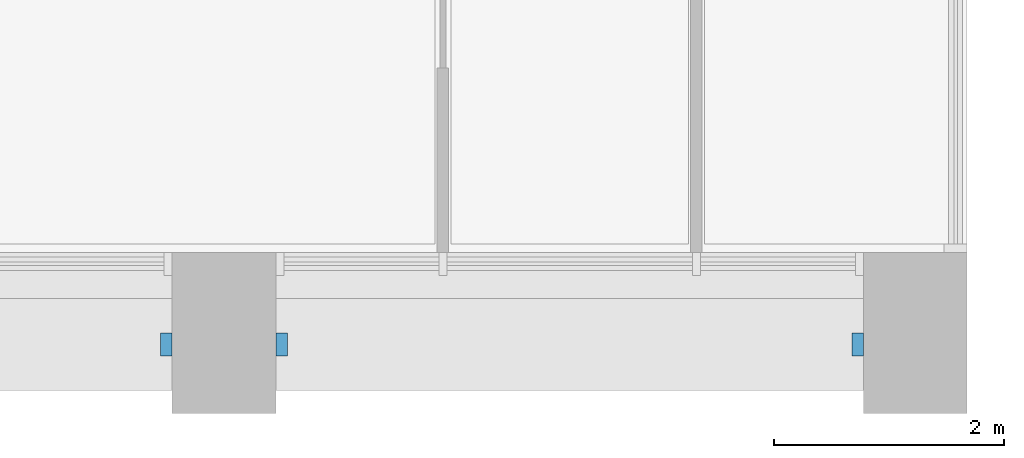
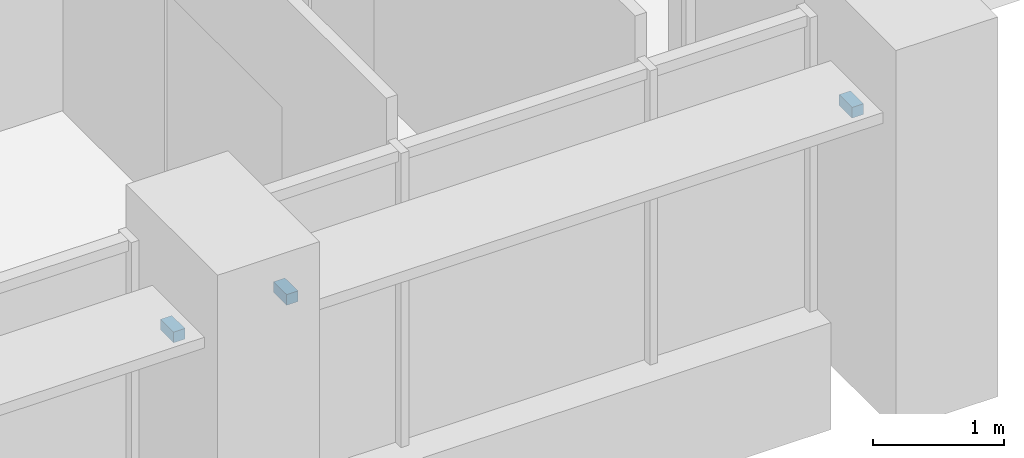
# One storey, part 14 of 15: 3 discrete accessories.
"""IFC4 building model written with IfcOpenShell, lengths in metres."""

import ifcopenshell
import ifcopenshell.guid

model = None  # the IFC model being written
_history = None  # IfcOwnerHistory: only IFC2X3 demands one
_inside = {}  # id of a spatial element -> (the spatial element, [elements in it])
_under = {}  # id of a project, library or spatial element -> (it, [spatial elements below it])
_declared = {}  # id of a project -> (the project, [libraries it declares])
_typed = {}  # id of a type object -> (the type object, [elements of that type])
_made_of = {}  # id of a material, layer set ... -> (it, [elements and type objects made of it])


def new_model(schema):
    """Start an empty IFC model of exactly this schema.

    Asked for "IFC4X3", IfcOpenShell would pick the latest addendum, in which some entities
    have other attributes; the version numbers below select the first issue.
    IFC2X3 requires an IfcOwnerHistory on every rooted entity: one is made here for all.
    """
    global model, _history
    if schema == "IFC4X3":
        model = ifcopenshell.file(schema_version=(4, 3, 0, 0))
    else:
        model = ifcopenshell.file(schema=schema)
    _inside.clear()
    _under.clear()
    _declared.clear()
    _typed.clear()
    _made_of.clear()
    _history = None
    if model.schema == "IFC2X3":
        org = make("IfcOrganization", Name="unknown")
        user = make(
            "IfcPersonAndOrganization",
            ThePerson=make("IfcPerson", FamilyName="unknown"),
            TheOrganization=org,
        )
        app = make(
            "IfcApplication",
            ApplicationDeveloper=org,
            Version="unknown",
            ApplicationFullName="unknown",
            ApplicationIdentifier="unknown",
        )
        _history = make(
            "IfcOwnerHistory",
            OwningUser=user,
            OwningApplication=app,
            ChangeAction="ADDED",
            CreationDate=0,
        )
    return model


def make(cls, **values):
    """One entity of the class cls with the attributes given. An attribute that is None is left unset."""
    return model.create_entity(
        cls, **{name: value for name, value in values.items() if value is not None}
    )


def rooted(cls, **values):
    """An entity with a GlobalId (a new one), such as an element, a storey or a relation."""
    return make(cls, GlobalId=ifcopenshell.guid.new(), OwnerHistory=_history, **values)


def si_unit(unit_type, name, prefix=None):
    """IfcSIUnit, for example si_unit("LENGTHUNIT", "METRE", prefix="MILLI")."""
    return make("IfcSIUnit", UnitType=unit_type, Prefix=prefix, Name=name)


def assignment(units):
    """IfcUnitAssignment: the units of a project."""
    return None if units is None else make("IfcUnitAssignment", Units=units)


def point(xyz):
    """IfcCartesianPoint."""
    return None if xyz is None else make("IfcCartesianPoint", Coordinates=xyz)


def direction(xyz):
    """IfcDirection."""
    return None if xyz is None else make("IfcDirection", DirectionRatios=xyz)


def frame(location, z_axis=None, x_axis=None):
    """IfcAxis2Placement3D, a coordinate frame: its origin and axes. An axis left out is left unset."""
    return make(
        "IfcAxis2Placement3D",
        Location=point(location),
        Axis=direction(z_axis),
        RefDirection=direction(x_axis),
    )


def frame_2d(location, x_axis=None):
    """IfcAxis2Placement2D, a coordinate frame in the plane: its origin and x axis."""
    return make(
        "IfcAxis2Placement2D", Location=point(location), RefDirection=direction(x_axis)
    )


def origin():
    """The frame at (0, 0, 0) with its axes left unset."""
    return frame((0.0, 0.0, 0.0))


def origin_2d():
    """The frame at (0, 0) in the plane with its x axis left unset."""
    return frame_2d((0.0, 0.0))


def place(relative_to, where):
    """IfcLocalPlacement: puts the frame where relative to a parent placement (None: the world)."""
    return make(
        "IfcLocalPlacement", PlacementRelTo=relative_to, RelativePlacement=where
    )


def context(
    kind, dimensions, precision=None, world=None, true_north=None, identifier=None
):
    """IfcGeometricRepresentationContext, for example the 3D "Model" context."""
    return make(
        "IfcGeometricRepresentationContext",
        ContextIdentifier=identifier,
        ContextType=kind,
        CoordinateSpaceDimension=dimensions,
        Precision=precision,
        WorldCoordinateSystem=world,
        TrueNorth=true_north,
    )


def subcontext(parent, identifier, kind, view, scale=None):
    """IfcGeometricRepresentationSubContext, for example "Body" below "Model"."""
    return make(
        "IfcGeometricRepresentationSubContext",
        ContextIdentifier=identifier,
        ContextType=kind,
        ParentContext=parent,
        TargetScale=scale,
        TargetView=view,
    )


def project(units=None, contexts=None):
    """IfcProject with its units and contexts."""
    return rooted(
        "IfcProject",
        Name="project",
        RepresentationContexts=contexts,
        UnitsInContext=assignment(units),
    )


def spatial(cls, under=None, at=None, **own):
    """A site, building, storey or space (cls), placed at a placement, below another one or the project."""
    s = rooted(cls, ObjectPlacement=at, **own)
    if under is not None:
        _under.setdefault(under.id(), (under, []))[1].append(s)
    return s


def profile(cls, at=None, kind="AREA", **sizes):
    """A parametric profile (cls). Its sizes go by their IFC names, for example OverallWidth=200.0."""
    return make(cls, ProfileType=kind, Position=at, **sizes)


def rectangle(**sizes):
    """IfcRectangleProfileDef."""
    return profile("IfcRectangleProfileDef", **sizes)


def extrude(swept, where, along, depth):
    """IfcExtrudedAreaSolid: the profile swept, set in the frame where, extruded along a direction by depth."""
    return make(
        "IfcExtrudedAreaSolid",
        SweptArea=swept,
        Position=where,
        ExtrudedDirection=direction(along),
        Depth=depth,
    )


def shape(context_of_items, identifier, shape_type, items):
    """IfcShapeRepresentation: the items that make up one representation, for example the "Body"."""
    return make(
        "IfcShapeRepresentation",
        ContextOfItems=context_of_items,
        RepresentationIdentifier=identifier,
        RepresentationType=shape_type,
        Items=items,
    )


def made_of(thing, what):
    """Note that an element or type object is made of a material, layer set ...; save() writes the relation."""
    if what is not None:
        _made_of.setdefault(what.id(), (what, []))[1].append(thing)
    return thing


def element(
    cls,
    number,
    at=None,
    inside=None,
    cuts=None,
    type_object=None,
    material=None,
    context=None,
    identifier="Body",
    shape_type=None,
    held_by="IfcProductDefinitionShape",
    body=None,
    shapes=None,
    **own,
):
    """One element of the class cls, such as IfcWall. Its Tag is "e" and its number.

    at: its placement. inside: the storey or other place that contains it. cuts: it is an
    opening in that element (IfcRelVoidsElement). A single representation is given by context,
    identifier, shape_type and body (its items); several are given by shapes. held_by: the class
    of the entity that holds the representations. save() writes the other relations.
    """
    e = rooted(cls, Tag="e%d" % number, ObjectPlacement=at, **own)
    if body is not None:
        shapes = [shape(context, identifier, shape_type, body)]
    if shapes is not None:
        e.Representation = make(held_by, Representations=shapes)
    if inside is not None:
        _inside.setdefault(inside.id(), (inside, []))[1].append(e)
    if cuts is not None:
        rooted(
            "IfcRelVoidsElement", RelatingBuildingElement=cuts, RelatedOpeningElement=e
        )
    if type_object is not None:
        _typed.setdefault(type_object.id(), (type_object, []))[1].append(e)
    return made_of(e, material)


def aggregate(whole, parts):
    """IfcRelAggregates: a whole, such as a stair, and the parts it consists of."""
    return rooted("IfcRelAggregates", RelatingObject=whole, RelatedObjects=parts)


def save(model, path):
    """Write the relations noted so far, then the file.

    IfcRelAggregates (storeys below a building ...), IfcRelContainedInSpatialStructure (elements
    in a storey), IfcRelDefinesByType, IfcRelAssociatesMaterial and IfcRelDeclares: one each for
    every whole, place, type object, material and project.
    """
    for whole, parts in _under.values():
        aggregate(whole, parts)
    for where, things in _inside.values():
        rooted(
            "IfcRelContainedInSpatialStructure",
            RelatedElements=things,
            RelatingStructure=where,
        )
    for kind, things in _typed.values():
        rooted("IfcRelDefinesByType", RelatedObjects=things, RelatingType=kind)
    for what, things in _made_of.values():
        rooted("IfcRelAssociatesMaterial", RelatedObjects=things, RelatingMaterial=what)
    for by, libraries in _declared.values():
        rooted("IfcRelDeclares", RelatingContext=by, RelatedDefinitions=libraries)
    model.write(path)


model = new_model("IFC4")

# Units and contexts
model_context = context("Model", 3, precision=1e-05, world=origin(), true_north=direction((0.0, 1.0)))
body_context = subcontext(model_context, "Body", "Model", "MODEL_VIEW")
ifc_project = project(units=[si_unit("LENGTHUNIT", "METRE"), si_unit("AREAUNIT", "SQUARE_METRE"), si_unit("VOLUMEUNIT", "CUBIC_METRE"), si_unit("PLANEANGLEUNIT", "RADIAN"), si_unit("MASSUNIT", "GRAM", prefix="KILO")], contexts=[model_context])

# Site, building, storey
site_placement = place(None, origin())
site = spatial("IfcSite", under=ifc_project, at=site_placement, CompositionType="ELEMENT")
building_placement = place(site_placement, origin())
building = spatial("IfcBuilding", under=site, at=building_placement, Name="Calvaro Tower", CompositionType="ELEMENT")
storey_placement = place(building_placement, frame((0.0, 0.0, 155.0)))
storey = spatial("IfcBuildingStorey", under=building, at=storey_placement, Name="L39", CompositionType="ELEMENT", Elevation=155.0)

# Discrete accessories
for number, where, z_axis, x_axis, name in (
    (1, (59.5, 2.10009765625, 2.25), (0.0, 0.0, 1.0), (1.0, 0.0, 0.0), "Brise-soleil bracket"),
    (2, (60.5, 2.10009765625, 2.25), (0.0, 0.0, 1.0), (1.0, 0.0, 0.0), "Brise-soleil bracket"),
    (3, (65.5, 2.10009765625, 2.25), (0.0, 0.0, 1.0), (1.0, 0.0, 0.0), "Brise-soleil bracket"),
):
    element("IfcDiscreteAccessory", number, at=place(storey_placement, frame(where, z_axis=z_axis, x_axis=x_axis)), inside=storey, Name=name, PredefinedType="BRACKET", context=body_context, shape_type="SweptSolid", body=[
        extrude(rectangle(XDim=0.10009765625, YDim=0.199951171875, at=origin_2d()), origin(), (0.0, 0.0, 1.0), 0.10009765625),
    ])

save(model, "model.ifc")
